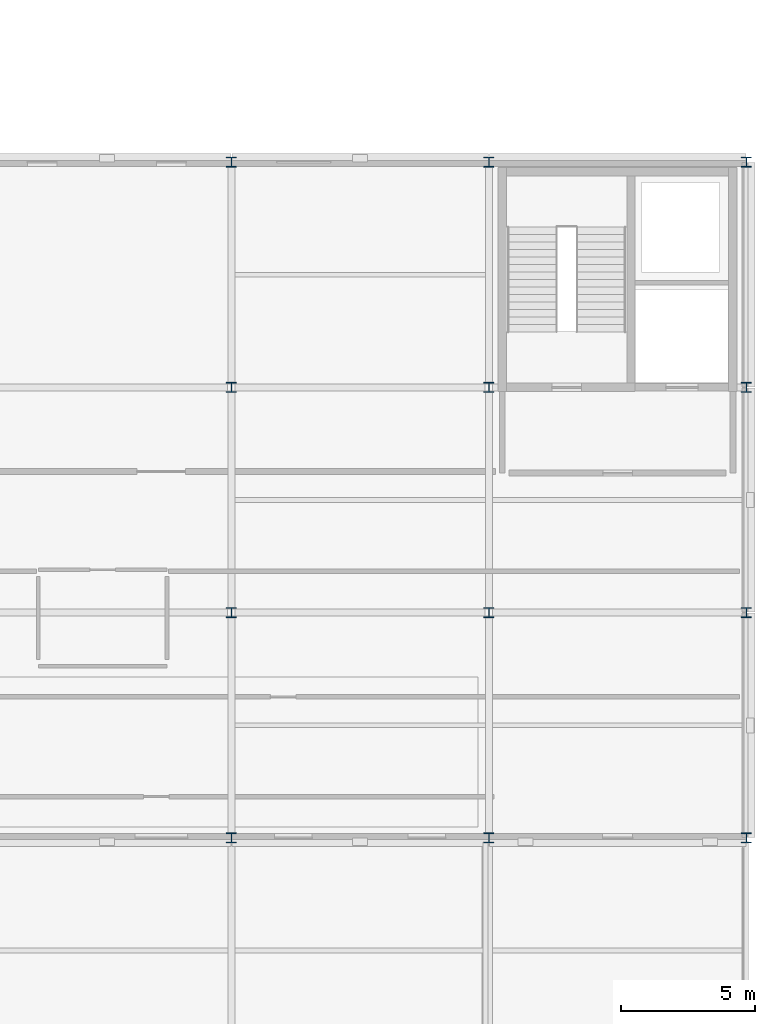
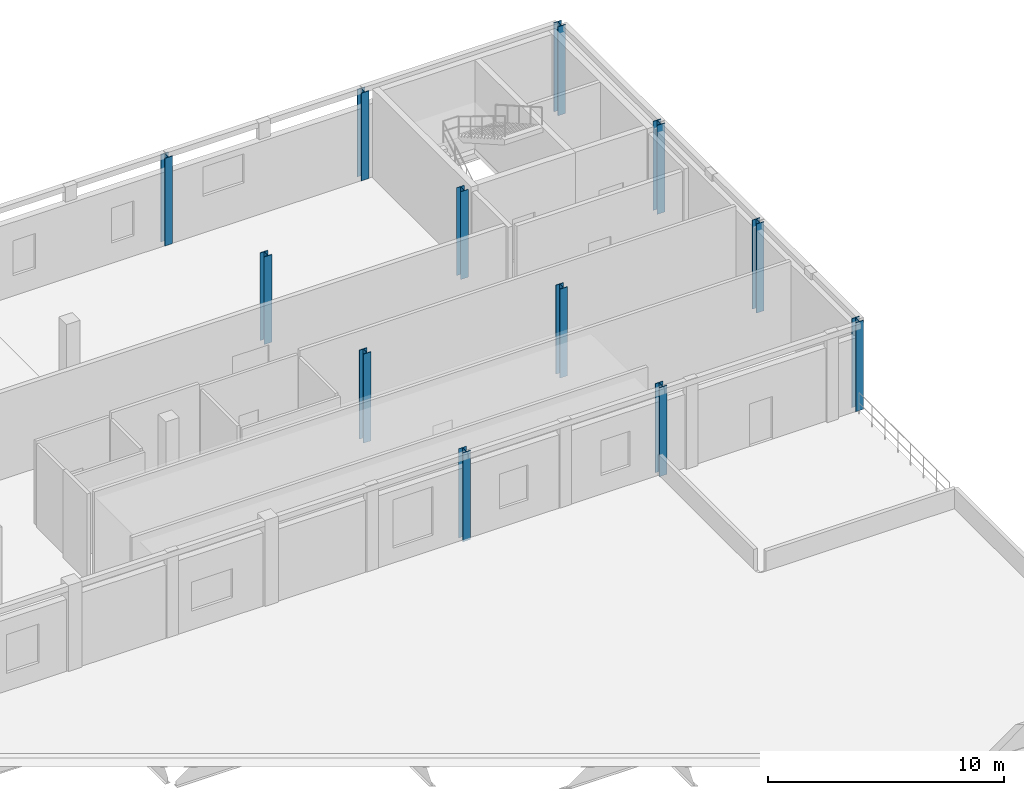
# One storey, part 3 of 26: 12 columns.
"""IFC4 building model written with IfcOpenShell, lengths in metres."""

from ifc_helpers import new_model, si_unit, direction, frame, origin, origin_2d, place, context, subcontext, project, spatial, i_section, extrude, material, material_profile, profile_set, type_object, element, save


model = new_model("IFC4")

# Units and contexts
model_context = context("Model", 3, precision=1e-05, world=origin(), true_north=direction((0.0, 1.0)))
body_context = subcontext(model_context, "Body", "Model", "MODEL_VIEW")
ifc_project = project(units=[si_unit("LENGTHUNIT", "METRE"), si_unit("AREAUNIT", "SQUARE_METRE"), si_unit("VOLUMEUNIT", "CUBIC_METRE"), si_unit("PLANEANGLEUNIT", "RADIAN"), si_unit("MASSUNIT", "GRAM", prefix="KILO")], contexts=[model_context])

# Site, building, storey
site_placement = place(None, origin())
site = spatial("IfcSite", under=ifc_project, at=site_placement, CompositionType="ELEMENT")
building_placement = place(site_placement, origin())
building = spatial("IfcBuilding", under=site, at=building_placement, Name="Lornevale Opera House", CompositionType="ELEMENT")
storey_placement = place(building_placement, frame((0.0, 0.0, 19.800048828125)))
storey = spatial("IfcBuildingStorey", under=building, at=storey_placement, Name="L05", CompositionType="ELEMENT", Elevation=19.800048828125)

# Columns
ifc_material = material(Name="Structural Steel CSA G40.21 Grade 350W (350 MPa)", Category="steel")
ifc_material_profile = material_profile(ifc_material, i_section(OverallWidth=0.373046875, OverallDepth=0.367919921875, WebThickness=0.017578125, FlangeThickness=0.028076171875, at=origin_2d()), Name="W360x179")
ifc_profile_set = profile_set([ifc_material_profile], Name="Structural Steel CSA G40.21 Grade 350W (350 MPa)")
column_type = type_object("IfcColumnType", Name="Steel Gallery Column W360x179", PredefinedType="COLUMN", material=ifc_profile_set)
for number, where, z_axis, x_axis, name in (
    (1, (124.800048828125, 50.39990234375, 0.0), (0.0, 0.0, 1.0), (1.0, 0.0, 0.0), "Steel Gallery Column W360x179 0867"),
    (2, (124.800048828125, 58.800048828125, 0.0), (0.0, 0.0, 1.0), (1.0, 0.0, 0.0), "Steel Gallery Column W360x179 0875"),
):
    element("IfcColumn", number, at=place(storey_placement, frame(where, z_axis=z_axis, x_axis=x_axis)), inside=storey, type_object=column_type, Name=name, PredefinedType="COLUMN", context=body_context, shape_type="SweptSolid", body=[
        extrude(i_section(OverallWidth=0.373046875, OverallDepth=0.367919921875, WebThickness=0.017578125, FlangeThickness=0.028076171875, at=origin_2d()), origin(), (0.0, 0.0, 1.0), 4.599853515625),
    ])
for number, where, z_axis, x_axis, name in (
    (3, (124.800048828125, 67.199951171875, 0.0), (0.0, 0.0, 1.0), (1.0, 0.0, 0.0), "Steel Gallery Column W360x179 0883"),
    (4, (124.800048828125, 75.60009765625, 0.0), (0.0, 0.0, 1.0), (1.0, 0.0, 0.0), "Steel Gallery Column W360x179 0891"),
):
    element("IfcColumn", number, at=place(storey_placement, frame(where, z_axis=z_axis, x_axis=x_axis)), inside=storey, type_object=column_type, Name=name, PredefinedType="COLUMN", context=body_context, shape_type="SweptSolid", body=[
        extrude(i_section(OverallWidth=0.373046875, OverallDepth=0.367919921875, WebThickness=0.017578125, FlangeThickness=0.028076171875, at=origin_2d()), origin(), (0.0, 0.0, 1.0), 4.530029296875),
    ])
for number, where, z_axis, x_axis, name in (
    (5, (134.39990234375, 50.39990234375, 0.0), (0.0, 0.0, 1.0), (1.0, 0.0, 0.0), "Steel Gallery Column W360x179 0944"),
    (6, (134.39990234375, 58.800048828125, 0.0), (0.0, 0.0, 1.0), (1.0, 0.0, 0.0), "Steel Gallery Column W360x179 0952"),
):
    element("IfcColumn", number, at=place(storey_placement, frame(where, z_axis=z_axis, x_axis=x_axis)), inside=storey, type_object=column_type, Name=name, PredefinedType="COLUMN", context=body_context, shape_type="SweptSolid", body=[
        extrude(i_section(OverallWidth=0.373046875, OverallDepth=0.367919921875, WebThickness=0.017578125, FlangeThickness=0.028076171875, at=origin_2d()), origin(), (0.0, 0.0, 1.0), 4.599853515625),
    ])
for number, where, z_axis, x_axis, name in (
    (7, (134.39990234375, 67.199951171875, 0.0), (0.0, 0.0, 1.0), (1.0, 0.0, 0.0), "Steel Gallery Column W360x179 0960"),
    (8, (134.39990234375, 75.60009765625, 0.0), (0.0, 0.0, 1.0), (1.0, 0.0, 0.0), "Steel Gallery Column W360x179 0968"),
):
    element("IfcColumn", number, at=place(storey_placement, frame(where, z_axis=z_axis, x_axis=x_axis)), inside=storey, type_object=column_type, Name=name, PredefinedType="COLUMN", context=body_context, shape_type="SweptSolid", body=[
        extrude(i_section(OverallWidth=0.373046875, OverallDepth=0.367919921875, WebThickness=0.017578125, FlangeThickness=0.028076171875, at=origin_2d()), origin(), (0.0, 0.0, 1.0), 4.530029296875),
    ])
for number, where, z_axis, x_axis, name in (
    (9, (144.0, 50.39990234375, 0.0), (0.0, 0.0, 1.0), (1.0, 0.0, 0.0), "Steel Gallery Column W360x179 1007"),
    (10, (144.0, 58.800048828125, 0.0), (0.0, 0.0, 1.0), (1.0, 0.0, 0.0), "Steel Gallery Column W360x179 1015"),
    (11, (144.0, 67.199951171875, 0.0), (0.0, 0.0, 1.0), (1.0, 0.0, 0.0), "Steel Gallery Column W360x179 1023"),
    (12, (144.0, 75.60009765625, 0.0), (0.0, 0.0, 1.0), (1.0, 0.0, 0.0), "Steel Gallery Column W360x179 1031"),
):
    element("IfcColumn", number, at=place(storey_placement, frame(where, z_axis=z_axis, x_axis=x_axis)), inside=storey, type_object=column_type, Name=name, PredefinedType="COLUMN", context=body_context, shape_type="SweptSolid", body=[
        extrude(i_section(OverallWidth=0.373046875, OverallDepth=0.367919921875, WebThickness=0.017578125, FlangeThickness=0.028076171875, at=origin_2d()), origin(), (0.0, 0.0, 1.0), 4.599853515625),
    ])

save(model, "model.ifc")
